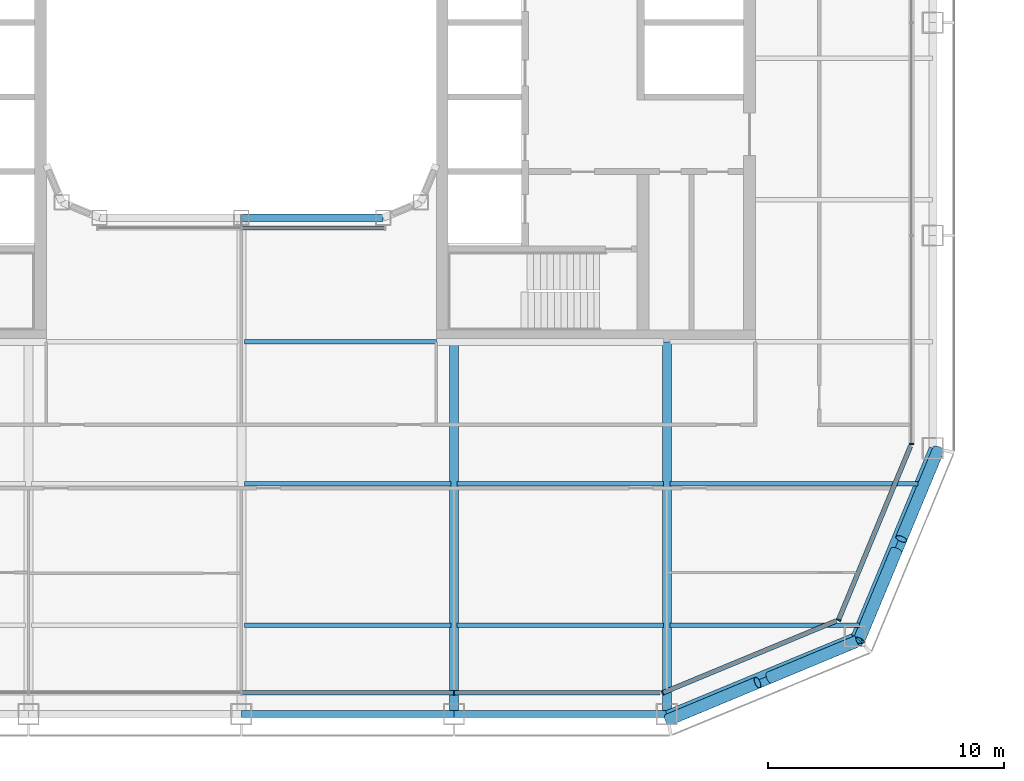
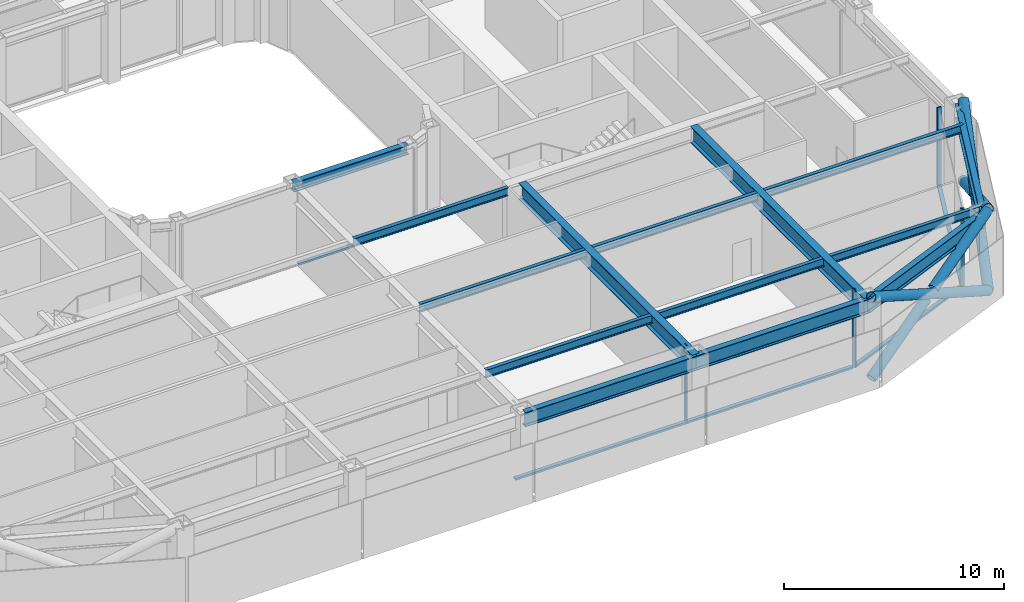
# One storey, part 4 of 24: 15 members, 14 beams, 5 elements without a shape of their own.
"""IFC4 building model written with IfcOpenShell, lengths in metres."""

from ifc_helpers import new_model, si_unit, direction, frame, origin, origin_2d, place, context, subcontext, project, spatial, rectangle, hollow_circle, i_section, extrude, material, layer, layer_set, material_profile, profile_set, type_object, element, aggregate, save


model = new_model("IFC4")

# Units and contexts
model_context = context("Model", 3, precision=1e-05, world=origin(), true_north=direction((0.0, 1.0)))
body_context = subcontext(model_context, "Body", "Model", "MODEL_VIEW")
ifc_project = project(units=[si_unit("LENGTHUNIT", "METRE"), si_unit("AREAUNIT", "SQUARE_METRE"), si_unit("VOLUMEUNIT", "CUBIC_METRE"), si_unit("PLANEANGLEUNIT", "RADIAN"), si_unit("MASSUNIT", "GRAM", prefix="KILO")], contexts=[model_context])

# Site, building, storey
site_placement = place(None, origin())
site = spatial("IfcSite", under=ifc_project, at=site_placement, CompositionType="ELEMENT")
building_placement = place(site_placement, origin())
building = spatial("IfcBuilding", under=site, at=building_placement, Name="Siwar Civic Tower", CompositionType="ELEMENT")
storey_placement = place(building_placement, frame((0.0, 0.0, 149.699951171875)))
storey = spatial("IfcBuildingStorey", under=building, at=storey_placement, Name="L32", CompositionType="ELEMENT", Elevation=149.699951171875)

# Curtain wall, member
ifc_material_1 = material(Name="Aluminium and glass", Category="aluminium")
ifc_layer_1 = layer(ifc_material_1, 0.199951171875)
ifc_layer_set_1 = layer_set([ifc_layer_1], Name="Aluminium and glass")
curtain_wall_type_1 = type_object("IfcCurtainWallType", Name="ENV-CW-B", PredefinedType="NOTDEFINED", material=ifc_layer_set_1)
curtain_wall_1_placement = place(storey_placement, origin())
curtain_wall_1 = element("IfcCurtainWall", 1, at=curtain_wall_1_placement, inside=storey, type_object=curtain_wall_type_1, Name="Curtain wall B S", PredefinedType="NOTDEFINED")
ifc_material_2 = material(Name="Aluminium 6063-T6", Category="aluminium")
ifc_material_profile_1 = material_profile(ifc_material_2, rectangle(XDim=0.199951171875, YDim=0.06494140625, at=origin_2d()), Name="AL 200x65")
ifc_profile_set_1 = profile_set([ifc_material_profile_1], Name="Aluminium 6063-T6")
member_type_1 = type_object("IfcMemberType", Name="ENV-MULLION-B", PredefinedType="MULLION", material=ifc_profile_set_1)
member_1_placement = place(storey_placement, frame((9.0, -28.35009765625, 0.0), z_axis=(0.0, 0.0, 1.0), x_axis=(0.0, 1.0, 0.0)))
member_1 = element("IfcMember", 2, at=member_1_placement, type_object=member_type_1, Name="Mullion B S 4", PredefinedType="MULLION", context=body_context, shape_type="SweptSolid", body=[
    extrude(rectangle(XDim=0.199951171875, YDim=0.06494140625, at=origin_2d()), origin(), (0.0, 0.0, 1.0), 4.35009765625),
])

ifc_material_3 = material(Name="Aluminium clad insulated panel", Category="aluminium")
ifc_layer_2 = layer(ifc_material_3, 0.199951171875)
ifc_layer_set_2 = layer_set([ifc_layer_2], Name="Aluminium clad insulated panel")
curtain_wall_type_2 = type_object("IfcCurtainWallType", Name="ENV-CW-BX", PredefinedType="NOTDEFINED", material=ifc_layer_set_2)
curtain_wall_2_placement = place(storey_placement, origin())
curtain_wall_2 = element("IfcCurtainWall", 3, at=curtain_wall_2_placement, inside=storey, type_object=curtain_wall_type_2, Name="Curtain wall B SE1", PredefinedType="NOTDEFINED")
member_2_placement = place(storey_placement, frame((17.821044921875, -28.35009765625, 0.0), z_axis=(0.0, 0.0, 1.0), x_axis=(-0.382683432365, 0.923879532511, 0.0)))
member_2 = element("IfcMember", 4, at=member_2_placement, type_object=member_type_1, Name="Mullion B SE1 1", PredefinedType="MULLION", context=body_context, shape_type="SweptSolid", body=[
    extrude(rectangle(XDim=0.199951171875, YDim=0.06494140625, at=origin_2d()), origin(), (0.0, 0.0, 1.0), 4.35009765625),
])

curtain_wall_3_placement = place(storey_placement, origin())
curtain_wall_3 = element("IfcCurtainWall", 5, at=curtain_wall_3_placement, inside=storey, type_object=curtain_wall_type_2, Name="Curtain wall B SE2", PredefinedType="NOTDEFINED")
member_3_placement = place(storey_placement, frame((25.26611328125, -25.26611328125, 0.0), z_axis=(0.0, 0.0, 1.0), x_axis=(-0.923879532511, 0.382683432365, 0.0)))
member_3 = element("IfcMember", 6, at=member_3_placement, type_object=member_type_1, Name="Mullion B SE2 1", PredefinedType="MULLION", context=body_context, shape_type="SweptSolid", body=[
    extrude(rectangle(XDim=0.199951171875, YDim=0.06494140625, at=origin_2d()), origin(), (0.0, 0.0, 1.0), 4.35009765625),
])

curtain_wall_4_placement = place(storey_placement, origin())
curtain_wall_4 = element("IfcCurtainWall", 7, at=curtain_wall_4_placement, inside=storey, type_object=curtain_wall_type_1, Name="Curtain wall B E", PredefinedType="NOTDEFINED")
member_4_placement = place(storey_placement, frame((28.35009765625, -17.821044921875, 0.0), z_axis=(0.0, 0.0, 1.0), x_axis=(-1.0, 0.0, 0.0)))
member_4 = element("IfcMember", 8, at=member_4_placement, type_object=member_type_1, Name="Mullion B E 1", PredefinedType="MULLION", context=body_context, shape_type="SweptSolid", body=[
    extrude(rectangle(XDim=0.199951171875, YDim=0.06494140625, at=origin_2d()), origin(), (0.0, 0.0, 1.0), 4.35009765625),
])
aggregate(curtain_wall_4, [member_4])

# Member
ifc_material_4 = material(Name="Aluminium 6063-T6", Category="aluminium")
ifc_material_profile_2 = material_profile(ifc_material_4, rectangle(XDim=0.199951171875, YDim=0.110107421875, at=origin_2d()), Name="AL 200x110")
ifc_profile_set_2 = profile_set([ifc_material_profile_2], Name="Aluminium 6063-T6")
member_type_2 = type_object("IfcMemberType", Name="ENV-TRANSOM-B", PredefinedType="USERDEFINED", material=ifc_profile_set_2)
member_5_placement = place(storey_placement, frame((0.032470703125, -28.35009765625, 0.054931640625), z_axis=(1.0, 0.0, 0.0), x_axis=(0.0, 1.0, 0.0)))
member_5 = element("IfcMember", 9, at=member_5_placement, type_object=member_type_2, Name="Transom B S 3", ObjectType="TRANSOM", PredefinedType="USERDEFINED", context=body_context, shape_type="SweptSolid", body=[
    extrude(rectangle(XDim=0.199951171875, YDim=0.110107421875, at=origin_2d()), origin(), (0.0, 0.0, 1.0), 8.93505859375),
])

member_6_placement = place(storey_placement, frame((9.032470703125, -28.35009765625, 0.054931640625), z_axis=(1.0, 0.0, 0.0), x_axis=(0.0, 1.0, 0.0)))
member_6 = element("IfcMember", 10, at=member_6_placement, type_object=member_type_2, Name="Transom B S 4", ObjectType="TRANSOM", PredefinedType="USERDEFINED", context=body_context, shape_type="SweptSolid", body=[
    extrude(rectangle(XDim=0.199951171875, YDim=0.110107421875, at=origin_2d()), origin(), (0.0, 0.0, 1.0), 8.6748046875),
])

aggregate(curtain_wall_1, [member_1, member_5, member_6])

member_7_placement = place(storey_placement, frame((17.85107421875, -28.337646484375, 0.054931640625), z_axis=(0.92387279587, 0.382699695651, 0.0), x_axis=(-0.382699695651, 0.92387279587, 0.0)))
member_7 = element("IfcMember", 11, at=member_7_placement, type_object=member_type_2, Name="Transom B SE1 1", ObjectType="TRANSOM", PredefinedType="USERDEFINED", context=body_context, shape_type="SweptSolid", body=[
    extrude(rectangle(XDim=0.199951171875, YDim=0.110107421875, at=origin_2d()), origin(), (0.0, 0.0, 1.0), 7.912353515625),
])

aggregate(curtain_wall_2, [member_2, member_7])

member_8_placement = place(storey_placement, frame((25.278564453125, -25.236083984375, 0.054931640625), z_axis=(0.382673358825, 0.923883705044, 0.0), x_axis=(-0.923883705044, 0.382673358825, 0.0)))
member_8 = element("IfcMember", 12, at=member_8_placement, type_object=member_type_2, Name="Transom B SE2 1", ObjectType="TRANSOM", PredefinedType="USERDEFINED", context=body_context, shape_type="SweptSolid", body=[
    extrude(rectangle(XDim=0.199951171875, YDim=0.110107421875, at=origin_2d()), origin(), (0.0, 0.0, 1.0), 7.912353515625),
])

aggregate(curtain_wall_3, [member_3, member_8])

# Curtain wall, member
ifc_material_5 = material(Name="Aluminium and glass", Category="aluminium")
ifc_layer_3 = layer(ifc_material_5, 0.179931640625)
ifc_layer_set_3 = layer_set([ifc_layer_3], Name="Aluminium and glass")
curtain_wall_type_3 = type_object("IfcCurtainWallType", Name="ENV-CW-W", PredefinedType="NOTDEFINED", material=ifc_layer_set_3)
curtain_wall_5_placement = place(storey_placement, origin())
curtain_wall_5 = element("IfcCurtainWall", 13, at=curtain_wall_5_placement, inside=storey, type_object=curtain_wall_type_3, Name="Curtain wall W WS", PredefinedType="NOTDEFINED")
ifc_material_6 = material(Name="Aluminium 6063-T6", Category="aluminium")
ifc_material_profile_3 = material_profile(ifc_material_6, rectangle(XDim=0.179931640625, YDim=0.10009765625, at=origin_2d()), Name="AL 180x100")
ifc_profile_set_3 = profile_set([ifc_material_profile_3], Name="Aluminium 6063-T6")
member_type_3 = type_object("IfcMemberType", Name="ENV-TRANSOM-W", PredefinedType="USERDEFINED", material=ifc_profile_set_3)
member_9_placement = place(storey_placement, frame((0.030029296875, -8.68505859375, 0.050048828125), z_axis=(1.0, 0.0, 0.0), x_axis=(0.0, 1.0, 0.0)))
member_9 = element("IfcMember", 14, at=member_9_placement, type_object=member_type_3, Name="Transom W WS 2", ObjectType="TRANSOM", PredefinedType="USERDEFINED", context=body_context, shape_type="SweptSolid", body=[
    extrude(rectangle(XDim=0.179931640625, YDim=0.10009765625, at=origin_2d()), origin(), (0.0, 0.0, 1.0), 6.026611328125),
])
aggregate(curtain_wall_5, [member_9])

# Members
ifc_material_7 = material(Name="Steel S355", Category="steel")
ifc_material_profile_4 = material_profile(ifc_material_7, hollow_circle(Radius=0.25390625, WallThickness=0.02490234375, at=origin_2d()), Name="CHS508x25")
ifc_profile_set_4 = profile_set([ifc_material_profile_4], Name="Steel S355")
member_type_4 = type_object("IfcMemberType", Name="STR-BR-CHS508x25", PredefinedType="BRACE", material=ifc_profile_set_4)
member_10_placement = place(storey_placement, frame((26.1318359375, -26.1318359375, 0.0), z_axis=(0.341671493852, 0.821142553604, 0.457149315816), x_axis=(-0.923264922524, 0.384163874976, 0.0)))
element("IfcMember", 15, at=member_10_placement, inside=storey, type_object=member_type_4, Name="L32/brc/BSE1-11-0-1", PredefinedType="BRACE", context=body_context, shape_type="SweptSolid", body=[
    extrude(hollow_circle(Radius=0.25390625, WallThickness=0.02490234375, at=origin_2d()), origin(), (0.0, 0.0, 1.0), 9.843505859375),
])
for number, where, z_axis, x_axis, name in (
    (16, (29.4951171875, -18.048828125, 0.0), (-0.341677318012, -0.821126041429, 0.457174621391), (0.923259859753, -0.384176042158, 0.0), "L32/brc/BSE1-11-0-2"),
    (17, (27.70849609375, -22.342529296875, 2.390625), (-0.341670737976, -0.821163134736, 0.457112910516), (0.923268638995, -0.384154943021, 0.0), "L32/brc/BSE1-11-0-3"),
):
    element("IfcMember", number, at=place(storey_placement, frame(where, z_axis=z_axis, x_axis=x_axis)), inside=storey, type_object=member_type_4, Name=name, PredefinedType="BRACE", context=body_context, shape_type="SweptSolid", body=[
        extrude(hollow_circle(Radius=0.25390625, WallThickness=0.02490234375, at=origin_2d()), origin(), (0.0, 0.0, 1.0), 4.614501953125),
    ])
member_11_placement = place(storey_placement, frame((26.1318359375, -26.1318359375, 0.0), z_axis=(-0.821142553604, -0.341671493852, 0.457149315816), x_axis=(0.384163874976, -0.923264922524, 0.0)))
element("IfcMember", 18, at=member_11_placement, inside=storey, type_object=member_type_4, Name="L32/brc/BSE1-11-0-0", PredefinedType="BRACE", context=body_context, shape_type="SweptSolid", body=[
    extrude(hollow_circle(Radius=0.25390625, WallThickness=0.02490234375, at=origin_2d()), origin(), (0.0, 0.0, 1.0), 9.843505859375),
])
for number, where, z_axis, x_axis, name in (
    (19, (18.048828125, -29.4951171875, 0.0), (0.821126041429, 0.341677318012, 0.457174621391), (-0.384176042158, 0.923259859753, 0.0), "L32/brc/BSE1-11-0-4"),
    (20, (22.342529296875, -27.70849609375, 2.390625), (0.821163134736, 0.341670737976, 0.457112910516), (-0.384154943021, 0.923268638995, 0.0), "L32/brc/BSE1-11-0-5"),
):
    element("IfcMember", number, at=place(storey_placement, frame(where, z_axis=z_axis, x_axis=x_axis)), inside=storey, type_object=member_type_4, Name=name, PredefinedType="BRACE", context=body_context, shape_type="SweptSolid", body=[
        extrude(hollow_circle(Radius=0.25390625, WallThickness=0.02490234375, at=origin_2d()), origin(), (0.0, 0.0, 1.0), 4.614501953125),
    ])

# Beams
ifc_material_8 = material(Name="Steel S355", Category="steel")
ifc_material_profile_5 = material_profile(ifc_material_8, i_section(OverallWidth=0.18994140625, OverallDepth=0.449951171875, WebThickness=0.009521484375, FlangeThickness=0.0146484375, FilletRadius=0.02099609375, at=origin_2d()), Name="IPE450")
ifc_profile_set_5 = profile_set([ifc_material_profile_5], Name="Steel S355")
beam_type_1 = type_object("IfcBeamType", Name="STR-FB-IPE450", PredefinedType="JOIST", material=ifc_profile_set_5)
for number, where, z_axis, x_axis, name in (
    (21, (0.1298828125, -25.5, 4.125), (1.0, 0.0, 0.0), (0.0, 1.0, 0.0), "L32/bm/F004"),
    (22, (9.1298828125, -25.5, 4.125), (1.0, 0.0, 0.0), (0.0, 1.0, 0.0), "L32/bm/F005"),
):
    element("IfcBeam", number, at=place(storey_placement, frame(where, z_axis=z_axis, x_axis=x_axis)), inside=storey, type_object=beam_type_1, Name=name, PredefinedType="JOIST", context=body_context, shape_type="SweptSolid", body=[
        extrude(i_section(OverallWidth=0.18994140625, OverallDepth=0.449951171875, WebThickness=0.009521484375, FlangeThickness=0.0146484375, FilletRadius=0.02099609375, at=origin_2d()), origin(), (0.0, 0.0, 1.0), 8.740234375),
    ])
beam_1_placement = place(storey_placement, frame((18.1298828125, -25.5, 4.125), z_axis=(1.0, 0.0, 0.0), x_axis=(0.0, 1.0, 0.0)))
element("IfcBeam", 23, at=beam_1_placement, inside=storey, type_object=beam_type_1, Name="L32/bm/F006", PredefinedType="JOIST", context=body_context, shape_type="SweptSolid", body=[
    extrude(i_section(OverallWidth=0.18994140625, OverallDepth=0.449951171875, WebThickness=0.009521484375, FlangeThickness=0.0146484375, FilletRadius=0.02099609375, at=origin_2d()), origin(), (0.0, 0.0, 1.0), 8.013427734375),
])
for number, where, z_axis, x_axis, name in (
    (24, (0.1298828125, -19.5, 4.125), (1.0, 0.0, 0.0), (0.0, 1.0, 0.0), "L32/bm/F010"),
    (25, (9.1298828125, -19.5, 4.125), (1.0, 0.0, 0.0), (0.0, 1.0, 0.0), "L32/bm/F011"),
):
    element("IfcBeam", number, at=place(storey_placement, frame(where, z_axis=z_axis, x_axis=x_axis)), inside=storey, type_object=beam_type_1, Name=name, PredefinedType="JOIST", context=body_context, shape_type="SweptSolid", body=[
        extrude(i_section(OverallWidth=0.18994140625, OverallDepth=0.449951171875, WebThickness=0.009521484375, FlangeThickness=0.0146484375, FilletRadius=0.02099609375, at=origin_2d()), origin(), (0.0, 0.0, 1.0), 8.740234375),
    ])
beam_2_placement = place(storey_placement, frame((18.1298828125, -19.5, 4.125), z_axis=(1.0, 0.0, 0.0), x_axis=(0.0, 1.0, 0.0)))
element("IfcBeam", 26, at=beam_2_placement, inside=storey, type_object=beam_type_1, Name="L32/bm/F012", PredefinedType="JOIST", context=body_context, shape_type="SweptSolid", body=[
    extrude(i_section(OverallWidth=0.18994140625, OverallDepth=0.449951171875, WebThickness=0.009521484375, FlangeThickness=0.0146484375, FilletRadius=0.02099609375, at=origin_2d()), origin(), (0.0, 0.0, 1.0), 10.498779296875),
])
beam_3_placement = place(storey_placement, frame((0.1298828125, -13.5, 4.125), z_axis=(1.0, 0.0, 0.0), x_axis=(0.0, 1.0, 0.0)))
element("IfcBeam", 27, at=beam_3_placement, inside=storey, type_object=beam_type_1, Name="L32/bm/F017", PredefinedType="JOIST", context=body_context, shape_type="SweptSolid", body=[
    extrude(i_section(OverallWidth=0.18994140625, OverallDepth=0.449951171875, WebThickness=0.009521484375, FlangeThickness=0.0146484375, FilletRadius=0.02099609375, at=origin_2d()), origin(), (0.0, 0.0, 1.0), 8.1201171875),
])
ifc_material_9 = material(Name="Steel S355", Category="steel")
ifc_material_profile_6 = material_profile(ifc_material_9, i_section(OverallWidth=0.3798828125, OverallDepth=0.89990234375, WebThickness=0.01611328125, FlangeThickness=0.035888671875, at=origin_2d()), Name="PG900x380x16x36")
ifc_profile_set_6 = profile_set([ifc_material_profile_6], Name="Steel S355")
beam_type_2 = type_object("IfcBeamType", Name="STR-PG-PG900x380x16x36", PredefinedType="BEAM", material=ifc_profile_set_6)
for number, where, z_axis, x_axis, name in (
    (28, (9.0, -29.25, 3.900146484375), (0.0, 1.0, 0.0), (-1.0, 0.0, 0.0), "L32/bm/G07"),
    (29, (18.0, -29.25, 3.900146484375), (0.0, 1.0, 0.0), (-1.0, 0.0, 0.0), "L32/bm/G09"),
):
    element("IfcBeam", number, at=place(storey_placement, frame(where, z_axis=z_axis, x_axis=x_axis)), inside=storey, type_object=beam_type_2, Name=name, PredefinedType="BEAM", context=body_context, shape_type="SweptSolid", body=[
        extrude(i_section(OverallWidth=0.3798828125, OverallDepth=0.89990234375, WebThickness=0.01611328125, FlangeThickness=0.035888671875, at=origin_2d()), origin(), (0.0, 0.0, 1.0), 15.75),
    ])
ifc_material_10 = material(Name="Steel S355", Category="steel")
ifc_material_profile_7 = material_profile(ifc_material_10, i_section(OverallWidth=0.305908203125, OverallDepth=0.52392578125, WebThickness=0.02099609375, FlangeThickness=0.0400390625, FilletRadius=0.027099609375, at=origin_2d()), Name="HEM500")
ifc_profile_set_7 = profile_set([ifc_material_profile_7], Name="Steel S355")
beam_type_3 = type_object("IfcBeamType", Name="STR-RB-HEM500", PredefinedType="BEAM", material=ifc_profile_set_7)
beam_4_placement = place(storey_placement, frame((0.0, -8.25, 4.088134765625), z_axis=(1.0, 0.0, 0.0), x_axis=(0.0, 1.0, 0.0)))
element("IfcBeam", 30, at=beam_4_placement, inside=storey, type_object=beam_type_3, Name="L32/bm/RS2", PredefinedType="BEAM", context=body_context, shape_type="SweptSolid", body=[
    extrude(i_section(OverallWidth=0.305908203125, OverallDepth=0.52392578125, WebThickness=0.02099609375, FlangeThickness=0.0400390625, FilletRadius=0.027099609375, at=origin_2d()), origin(), (0.0, 0.0, 1.0), 6.0),
])
ifc_material_11 = material(Name="Steel S355", Category="steel")
ifc_material_profile_8 = material_profile(ifc_material_11, i_section(OverallWidth=0.300048828125, OverallDepth=0.800048828125, WebThickness=0.017578125, FlangeThickness=0.032958984375, FilletRadius=0.030029296875, at=origin_2d()), Name="HEB800")
ifc_profile_set_8 = profile_set([ifc_material_profile_8], Name="Steel S355")
beam_type_4 = type_object("IfcBeamType", Name="STR-SB-HEB800", PredefinedType="BEAM", material=ifc_profile_set_8)
for number, where, z_axis, x_axis, name in (
    (31, (0.0, -29.25, 3.949951171875), (1.0, 0.0, 0.0), (0.0, 1.0, 0.0), "L32/bm/SS-2"),
    (32, (9.0, -29.25, 3.949951171875), (1.0, 0.0, 0.0), (0.0, 1.0, 0.0), "L32/bm/SS-3"),
):
    element("IfcBeam", number, at=place(storey_placement, frame(where, z_axis=z_axis, x_axis=x_axis)), inside=storey, type_object=beam_type_4, Name=name, PredefinedType="BEAM", context=body_context, shape_type="SweptSolid", body=[
        extrude(i_section(OverallWidth=0.300048828125, OverallDepth=0.800048828125, WebThickness=0.017578125, FlangeThickness=0.032958984375, FilletRadius=0.030029296875, at=origin_2d()), origin(), (0.0, 0.0, 1.0), 9.0),
    ])
for number, where, z_axis, x_axis, name in (
    (33, (18.0, -29.25, 3.949951171875), (0.923872720536, 0.382699877515, 0.0), (-0.382699877515, 0.923872720536, 0.0), "L32/bm/SSE1-0"),
    (34, (25.954833984375, -25.954833984375, 3.949951171875), (0.382699877515, 0.923872720536, 0.0), (-0.923872720536, 0.382699877515, 0.0), "L32/bm/SSE2-0"),
):
    element("IfcBeam", number, at=place(storey_placement, frame(where, z_axis=z_axis, x_axis=x_axis)), inside=storey, type_object=beam_type_4, Name=name, PredefinedType="BEAM", context=body_context, shape_type="SweptSolid", body=[
        extrude(i_section(OverallWidth=0.300048828125, OverallDepth=0.800048828125, WebThickness=0.017578125, FlangeThickness=0.032958984375, FilletRadius=0.030029296875, at=origin_2d()), origin(), (0.0, 0.0, 1.0), 8.6103515625),
    ])

save(model, "model.ifc")
